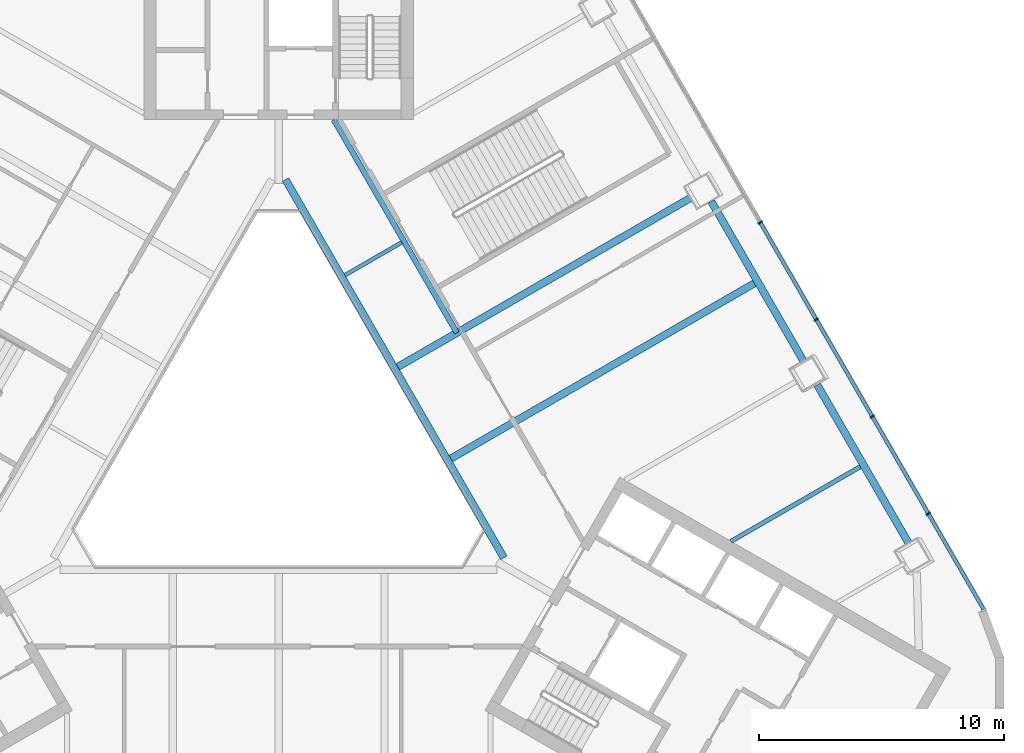
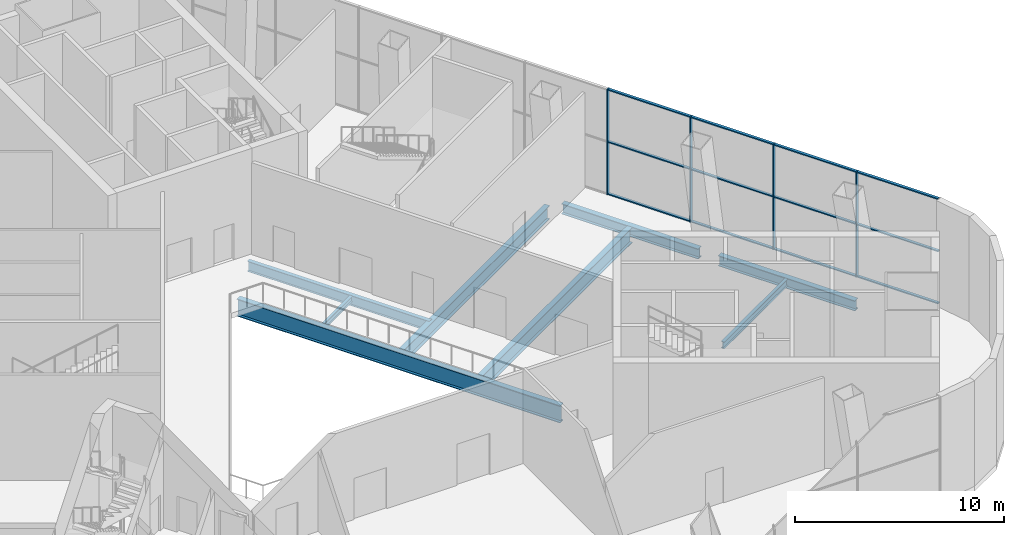
# One storey, part 6 of 17: 16 members, 8 beams, 1 element without a shape of its own.
"""IFC4 building model written with IfcOpenShell, lengths in metres."""

from ifc_helpers import new_model, si_unit, direction, frame, origin, origin_2d, place, context, subcontext, project, spatial, rectangle, i_section, extrude, material, layer, layer_set, material_profile, profile_set, type_object, element, aggregate, save


model = new_model("IFC4")

# Units and contexts
model_context = context("Model", 3, precision=1e-05, world=origin(), true_north=direction((0.0, 1.0)))
body_context = subcontext(model_context, "Body", "Model", "MODEL_VIEW")
ifc_project = project(units=[si_unit("LENGTHUNIT", "METRE"), si_unit("AREAUNIT", "SQUARE_METRE"), si_unit("VOLUMEUNIT", "CUBIC_METRE"), si_unit("PLANEANGLEUNIT", "RADIAN"), si_unit("MASSUNIT", "GRAM", prefix="KILO")], contexts=[model_context])

# Site, building, storey
site_placement = place(None, origin())
site = spatial("IfcSite", under=ifc_project, at=site_placement, CompositionType="ELEMENT")
building_placement = place(site_placement, origin())
building = spatial("IfcBuilding", under=site, at=building_placement, Name="Apuvela Tower Hotel", CompositionType="ELEMENT")
storey_placement = place(building_placement, frame((0.0, 0.0, 9.0)))
storey = spatial("IfcBuildingStorey", under=building, at=storey_placement, Name="L01", CompositionType="ELEMENT", Elevation=9.0)

# Curtain wall, members
ifc_material_1 = material(Name="Aluminium 6063-T6, dark bronze anodised", Category="aluminium")
ifc_layer = layer(ifc_material_1, 0.199951171875)
ifc_layer_set = layer_set([ifc_layer], Name="ENV-CW-P")
curtain_wall_type = type_object("IfcCurtainWallType", Name="ENV-CW-P", PredefinedType="NOTDEFINED", material=ifc_layer_set)
curtain_wall_placement = place(storey_placement, origin())
curtain_wall = element("IfcCurtainWall", 1, at=curtain_wall_placement, inside=storey, type_object=curtain_wall_type, Name="Curtain wall CW-P NE L01", PredefinedType="NOTDEFINED")
ifc_material_profile_1 = material_profile(ifc_material_1, rectangle(XDim=0.199951171875, YDim=0.06494140625, at=origin_2d()), Name="AL 65x200")
ifc_profile_set_1 = profile_set([ifc_material_profile_1], Name="Aluminium 6063-T6, dark bronze anodised")
member_type_1 = type_object("IfcMemberType", Name="ENV-MULLION-65x200", PredefinedType="MULLION", material=ifc_profile_set_1)
member_1_placement = place(storey_placement, frame((26.5205078125, -3.177978515625, 0.0), z_axis=(0.0, 0.0, 1.0), x_axis=(-0.866025428062, -0.49999995795, 0.0)))
member_1 = element("IfcMember", 2, at=member_1_placement, type_object=member_type_1, Name="CW-P mullion 2", PredefinedType="MULLION", context=body_context, shape_type="SweptSolid", body=[
    extrude(rectangle(XDim=0.199951171875, YDim=0.06494140625, at=origin_2d()), origin(), (0.0, 0.0, 1.0), 6.14990234375),
])
member_2_placement = place(storey_placement, frame((24.23291015625, 0.783935546875, 0.0), z_axis=(0.0, 0.0, 1.0), x_axis=(-0.866025428062, -0.49999995795, 0.0)))
member_2 = element("IfcMember", 3, at=member_2_placement, type_object=member_type_1, Name="CW-P mullion 3", PredefinedType="MULLION", context=body_context, shape_type="SweptSolid", body=[
    extrude(rectangle(XDim=0.199951171875, YDim=0.06494140625, at=origin_2d()), origin(), (0.0, 0.0, 1.0), 6.14990234375),
])
member_3_placement = place(storey_placement, frame((21.9453125, 4.74609375, 0.0), z_axis=(0.0, 0.0, 1.0), x_axis=(-0.866025428062, -0.49999995795, 0.0)))
member_3 = element("IfcMember", 4, at=member_3_placement, type_object=member_type_1, Name="CW-P mullion 4", PredefinedType="MULLION", context=body_context, shape_type="SweptSolid", body=[
    extrude(rectangle(XDim=0.199951171875, YDim=0.06494140625, at=origin_2d()), origin(), (0.0, 0.0, 1.0), 6.14990234375),
])
member_4_placement = place(storey_placement, frame((19.657958984375, 8.708251953125, 0.0), z_axis=(0.0, 0.0, 1.0), x_axis=(-0.866025428062, -0.49999995795, 0.0)))
member_4 = element("IfcMember", 5, at=member_4_placement, type_object=member_type_1, Name="CW-P mullion 5", PredefinedType="MULLION", context=body_context, shape_type="SweptSolid", body=[
    extrude(rectangle(XDim=0.199951171875, YDim=0.06494140625, at=origin_2d()), origin(), (0.0, 0.0, 1.0), 6.14990234375),
])
ifc_material_profile_2 = material_profile(ifc_material_1, rectangle(XDim=0.14990234375, YDim=0.06494140625, at=origin_2d()), Name="AL 65x150 transom")
ifc_profile_set_2 = profile_set([ifc_material_profile_2], Name="Aluminium 6063-T6, dark bronze anodised")
member_type_2 = type_object("IfcMemberType", Name="ENV-TRANSOM-65x150", PredefinedType="USERDEFINED", material=ifc_profile_set_2)
member_5_placement = place(storey_placement, frame((28.775390625, -7.083740234375, 0.032470703125), z_axis=(-0.500021389451, 0.866013054227, 0.0), x_axis=(-0.866013054227, -0.500021389451, 0.0)))
member_5 = element("IfcMember", 6, at=member_5_placement, type_object=member_type_2, Name="CW-P transom 1.1", ObjectType="TRANSOM", PredefinedType="USERDEFINED", context=body_context, shape_type="SweptSolid", body=[
    extrude(rectangle(XDim=0.14990234375, YDim=0.06494140625, at=origin_2d()), origin(), (0.0, 0.0, 1.0), 4.477294921875),
])
member_6_placement = place(storey_placement, frame((28.775390625, -7.083740234375, 3.074951171875), z_axis=(-0.500021389451, 0.866013054227, 0.0), x_axis=(-0.866013054227, -0.500021389451, 0.0)))
member_6 = element("IfcMember", 7, at=member_6_placement, type_object=member_type_2, Name="CW-P transom 1.2", ObjectType="TRANSOM", PredefinedType="USERDEFINED", context=body_context, shape_type="SweptSolid", body=[
    extrude(rectangle(XDim=0.14990234375, YDim=0.06494140625, at=origin_2d()), origin(), (0.0, 0.0, 1.0), 4.477294921875),
])
member_7_placement = place(storey_placement, frame((28.775390625, -7.083740234375, 6.117431640625), z_axis=(-0.500021389451, 0.866013054227, 0.0), x_axis=(-0.866013054227, -0.500021389451, 0.0)))
member_7 = element("IfcMember", 8, at=member_7_placement, type_object=member_type_2, Name="CW-P transom 1.3", ObjectType="TRANSOM", PredefinedType="USERDEFINED", context=body_context, shape_type="SweptSolid", body=[
    extrude(rectangle(XDim=0.14990234375, YDim=0.06494140625, at=origin_2d()), origin(), (0.0, 0.0, 1.0), 4.477294921875),
])
member_8_placement = place(storey_placement, frame((26.504150390625, -3.14990234375, 0.032470703125), z_axis=(-0.499981745636, 0.86603594269, 0.0), x_axis=(-0.86603594269, -0.499981745636, 0.0)))
member_8 = element("IfcMember", 9, at=member_8_placement, type_object=member_type_2, Name="CW-P transom 2.1", ObjectType="TRANSOM", PredefinedType="USERDEFINED", context=body_context, shape_type="SweptSolid", body=[
    extrude(rectangle(XDim=0.14990234375, YDim=0.06494140625, at=origin_2d()), origin(), (0.0, 0.0, 1.0), 4.510009765625),
])
member_9_placement = place(storey_placement, frame((26.504150390625, -3.14990234375, 3.074951171875), z_axis=(-0.499981745636, 0.86603594269, 0.0), x_axis=(-0.86603594269, -0.499981745636, 0.0)))
member_9 = element("IfcMember", 10, at=member_9_placement, type_object=member_type_2, Name="CW-P transom 2.2", ObjectType="TRANSOM", PredefinedType="USERDEFINED", context=body_context, shape_type="SweptSolid", body=[
    extrude(rectangle(XDim=0.14990234375, YDim=0.06494140625, at=origin_2d()), origin(), (0.0, 0.0, 1.0), 4.510009765625),
])
member_10_placement = place(storey_placement, frame((26.504150390625, -3.14990234375, 6.117431640625), z_axis=(-0.499981745636, 0.86603594269, 0.0), x_axis=(-0.86603594269, -0.499981745636, 0.0)))
member_10 = element("IfcMember", 11, at=member_10_placement, type_object=member_type_2, Name="CW-P transom 2.3", ObjectType="TRANSOM", PredefinedType="USERDEFINED", context=body_context, shape_type="SweptSolid", body=[
    extrude(rectangle(XDim=0.14990234375, YDim=0.06494140625, at=origin_2d()), origin(), (0.0, 0.0, 1.0), 4.510009765625),
])
member_11_placement = place(storey_placement, frame((24.216552734375, 0.812255859375, 0.032470703125), z_axis=(-0.499981745636, 0.86603594269, 0.0), x_axis=(-0.86603594269, -0.499981745636, 0.0)))
member_11 = element("IfcMember", 12, at=member_11_placement, type_object=member_type_2, Name="CW-P transom 3.1", ObjectType="TRANSOM", PredefinedType="USERDEFINED", context=body_context, shape_type="SweptSolid", body=[
    extrude(rectangle(XDim=0.14990234375, YDim=0.06494140625, at=origin_2d()), origin(), (0.0, 0.0, 1.0), 4.510009765625),
])
member_12_placement = place(storey_placement, frame((24.216552734375, 0.812255859375, 3.074951171875), z_axis=(-0.499981745636, 0.86603594269, 0.0), x_axis=(-0.86603594269, -0.499981745636, 0.0)))
member_12 = element("IfcMember", 13, at=member_12_placement, type_object=member_type_2, Name="CW-P transom 3.2", ObjectType="TRANSOM", PredefinedType="USERDEFINED", context=body_context, shape_type="SweptSolid", body=[
    extrude(rectangle(XDim=0.14990234375, YDim=0.06494140625, at=origin_2d()), origin(), (0.0, 0.0, 1.0), 4.510009765625),
])
member_13_placement = place(storey_placement, frame((24.216552734375, 0.812255859375, 6.117431640625), z_axis=(-0.499981745636, 0.86603594269, 0.0), x_axis=(-0.86603594269, -0.499981745636, 0.0)))
member_13 = element("IfcMember", 14, at=member_13_placement, type_object=member_type_2, Name="CW-P transom 3.3", ObjectType="TRANSOM", PredefinedType="USERDEFINED", context=body_context, shape_type="SweptSolid", body=[
    extrude(rectangle(XDim=0.14990234375, YDim=0.06494140625, at=origin_2d()), origin(), (0.0, 0.0, 1.0), 4.510009765625),
])
member_14_placement = place(storey_placement, frame((21.92919921875, 4.774169921875, 0.032470703125), z_axis=(-0.500022345486, 0.866012502228, 0.0), x_axis=(-0.866012502228, -0.500022345486, 0.0)))
member_14 = element("IfcMember", 15, at=member_14_placement, type_object=member_type_2, Name="CW-P transom 4.1", ObjectType="TRANSOM", PredefinedType="USERDEFINED", context=body_context, shape_type="SweptSolid", body=[
    extrude(rectangle(XDim=0.14990234375, YDim=0.06494140625, at=origin_2d()), origin(), (0.0, 0.0, 1.0), 4.510009765625),
])
member_15_placement = place(storey_placement, frame((21.92919921875, 4.774169921875, 3.074951171875), z_axis=(-0.500022345486, 0.866012502228, 0.0), x_axis=(-0.866012502228, -0.500022345486, 0.0)))
member_15 = element("IfcMember", 16, at=member_15_placement, type_object=member_type_2, Name="CW-P transom 4.2", ObjectType="TRANSOM", PredefinedType="USERDEFINED", context=body_context, shape_type="SweptSolid", body=[
    extrude(rectangle(XDim=0.14990234375, YDim=0.06494140625, at=origin_2d()), origin(), (0.0, 0.0, 1.0), 4.510009765625),
])
member_16_placement = place(storey_placement, frame((21.92919921875, 4.774169921875, 6.117431640625), z_axis=(-0.500022345486, 0.866012502228, 0.0), x_axis=(-0.866012502228, -0.500022345486, 0.0)))
member_16 = element("IfcMember", 17, at=member_16_placement, type_object=member_type_2, Name="CW-P transom 4.3", ObjectType="TRANSOM", PredefinedType="USERDEFINED", context=body_context, shape_type="SweptSolid", body=[
    extrude(rectangle(XDim=0.14990234375, YDim=0.06494140625, at=origin_2d()), origin(), (0.0, 0.0, 1.0), 4.510009765625),
])
aggregate(curtain_wall, [member_1, member_2, member_3, member_4, member_5, member_6, member_7, member_8, member_9, member_10, member_11, member_12, member_13, member_14, member_15, member_16])

# Beams
ifc_material_2 = material(Name="Steel S355", Category="steel")
ifc_material_profile_3 = material_profile(ifc_material_2, i_section(OverallWidth=0.300048828125, OverallDepth=0.7900390625, WebThickness=0.014892578125, FlangeThickness=0.028076171875, at=origin_2d()), Name="HE 800 A")
ifc_profile_set_3 = profile_set([ifc_material_profile_3], Name="Steel S355")
beam_type_1 = type_object("IfcBeamType", Name="STR-B floor beam HE 800 A", PredefinedType="BEAM", material=ifc_profile_set_3)
beam_1_placement = place(storey_placement, frame((16.912109375, 9.76416015625, -0.695068359375), z_axis=(-0.866026250868, -0.499998532805, 0.0), x_axis=(0.499998532805, -0.866026250868, 0.0)))
element("IfcBeam", 18, at=beam_1_placement, inside=storey, type_object=beam_type_1, Name="Floor beam B5 NE5", PredefinedType="BEAM", context=body_context, shape_type="SweptSolid", body=[
    extrude(i_section(OverallWidth=0.300048828125, OverallDepth=0.7900390625, WebThickness=0.014892578125, FlangeThickness=0.028076171875, at=origin_2d()), origin(), (0.0, 0.0, 1.0), 13.90625),
])
ifc_material_profile_4 = material_profile(ifc_material_2, i_section(OverallWidth=0.300048828125, OverallDepth=0.889892578125, WebThickness=0.01611328125, FlangeThickness=0.030029296875, at=origin_2d()), Name="HE 900 A")
ifc_profile_set_4 = profile_set([ifc_material_profile_4], Name="Steel S355")
beam_type_2 = type_object("IfcBeamType", Name="STR-B floor beam HE 900 A", PredefinedType="BEAM", material=ifc_profile_set_4)
beam_2_placement = place(storey_placement, frame((19.41943359375, 6.22119140625, -0.7451171875), z_axis=(-0.866028148673, -0.499995245684, 0.0), x_axis=(0.499995245684, -0.866028148673, 0.0)))
element("IfcBeam", 19, at=beam_2_placement, inside=storey, type_object=beam_type_2, Name="Floor beam B4 NE4", PredefinedType="BEAM", context=body_context, shape_type="SweptSolid", body=[
    extrude(i_section(OverallWidth=0.300048828125, OverallDepth=0.889892578125, WebThickness=0.01611328125, FlangeThickness=0.030029296875, at=origin_2d()), origin(), (0.0, 0.0, 1.0), 14.306396484375),
])
ifc_material_profile_5 = material_profile(ifc_material_2, i_section(OverallWidth=0.159912109375, OverallDepth=0.330078125, WebThickness=0.007568359375, FlangeThickness=0.011474609375, at=origin_2d()), Name="IPE 330")
ifc_profile_set_5 = profile_set([ifc_material_profile_5], Name="Steel S355")
beam_type_3 = type_object("IfcBeamType", Name="STR-B floor beam IPE 330", PredefinedType="BEAM", material=ifc_profile_set_5)
beam_3_placement = place(storey_placement, frame((5.027099609375, 7.892822265625, -0.465087890625), z_axis=(-0.866058069904, -0.499943416353, 0.0), x_axis=(0.499943416353, -0.866058069904, 0.0)))
element("IfcBeam", 20, at=beam_3_placement, inside=storey, type_object=beam_type_3, Name="Floor beam B1 NE6", PredefinedType="BEAM", context=body_context, shape_type="SweptSolid", body=[
    extrude(i_section(OverallWidth=0.159912109375, OverallDepth=0.330078125, WebThickness=0.007568359375, FlangeThickness=0.011474609375, at=origin_2d()), origin(), (0.0, 0.0, 1.0), 2.677978515625),
])
ifc_material_profile_6 = material_profile(ifc_material_2, i_section(OverallWidth=0.179931640625, OverallDepth=0.39990234375, WebThickness=0.008544921875, FlangeThickness=0.013427734375, at=origin_2d()), Name="IPE 400")
ifc_profile_set_6 = profile_set([ifc_material_profile_6], Name="Steel S355")
beam_type_4 = type_object("IfcBeamType", Name="STR-B floor beam IPE 400", PredefinedType="BEAM", material=ifc_profile_set_6)
beam_4_placement = place(storey_placement, frame((23.7412109375, -1.264404296875, -0.5), z_axis=(-0.866014723935, -0.500018497585, 0.0), x_axis=(0.500018497585, -0.866014723935, 0.0)))
element("IfcBeam", 21, at=beam_4_placement, inside=storey, type_object=beam_type_4, Name="Floor beam B2 NE2", PredefinedType="BEAM", context=body_context, shape_type="SweptSolid", body=[
    extrude(i_section(OverallWidth=0.179931640625, OverallDepth=0.39990234375, WebThickness=0.008544921875, FlangeThickness=0.013427734375, at=origin_2d()), origin(), (0.0, 0.0, 1.0), 6.091552734375),
])
ifc_material_profile_7 = material_profile(ifc_material_2, i_section(OverallWidth=0.302001953125, OverallDepth=1.008056640625, WebThickness=0.02099609375, FlangeThickness=0.0400390625, at=origin_2d()), Name="HE 1000 M")
ifc_profile_set_7 = profile_set([ifc_material_profile_7], Name="Steel S355")
beam_type_5 = type_object("IfcBeamType", Name="STR-G atrium ring girder HE 1000 M", PredefinedType="BEAM", material=ifc_profile_set_7)
beam_5_placement = place(storey_placement, frame((9.1953125, -4.984619140625, -0.803955078125), z_axis=(-0.500000611842, 0.866025050537, 0.0), x_axis=(-0.866025050537, -0.500000611842, 0.0)))
element("IfcBeam", 22, at=beam_5_placement, inside=storey, type_object=beam_type_5, Name="Atrium ring girder G1 SE-N", PredefinedType="BEAM", context=body_context, shape_type="SweptSolid", body=[
    extrude(i_section(OverallWidth=0.302001953125, OverallDepth=1.008056640625, WebThickness=0.02099609375, FlangeThickness=0.0400390625, at=origin_2d()), origin(), (0.0, 0.0, 1.0), 17.8291015625),
])
ifc_material_profile_8 = material_profile(ifc_material_2, i_section(OverallWidth=0.300048828125, OverallDepth=0.60009765625, WebThickness=0.015380859375, FlangeThickness=0.030029296875, at=origin_2d()), Name="HE 600 B")
ifc_profile_set_8 = profile_set([ifc_material_profile_8], Name="Steel S355")
beam_type_6 = type_object("IfcBeamType", Name="STR-SB spandrel beam HE 600 B", PredefinedType="SPANDREL", material=ifc_profile_set_8)
for number, where, z_axis, x_axis, name in (
    (23, (25.757080078125, -4.4560546875, -0.60009765625), (-0.499978319683, 0.866037920559, 0.0), (-0.866037920559, -0.499978319683, 0.0), "Spandrel beam SB1 NE1"),
    (24, (21.435302734375, 3.02978515625, -0.60009765625), (-0.500016605963, 0.866015816115, 0.0), (-0.866015816115, -0.500016605963, 0.0), "Spandrel beam SB1 NE2"),
):
    element("IfcBeam", number, at=place(storey_placement, frame(where, z_axis=z_axis, x_axis=x_axis)), inside=storey, type_object=beam_type_6, Name=name, PredefinedType="SPANDREL", context=body_context, shape_type="SweptSolid", body=[
        extrude(i_section(OverallWidth=0.300048828125, OverallDepth=0.60009765625, WebThickness=0.015380859375, FlangeThickness=0.030029296875, at=origin_2d()), origin(), (0.0, 0.0, 1.0), 7.543701171875),
    ])
ifc_material_profile_9 = material_profile(ifc_material_2, i_section(OverallWidth=0.219970703125, OverallDepth=0.60009765625, WebThickness=0.011962890625, FlangeThickness=0.01904296875, at=origin_2d()), Name="IPE 600")
ifc_profile_set_9 = profile_set([ifc_material_profile_9], Name="Steel S355")
beam_type_7 = type_object("IfcBeamType", Name="STR-TB stair trimmer beam IPE 600", PredefinedType="BEAM", material=ifc_profile_set_9)
beam_6_placement = place(storey_placement, frame((7.274658203125, 4.199951171875, -0.60009765625), z_axis=(-0.500002244785, 0.866024107753, 0.0), x_axis=(-0.866024107753, -0.500002244785, 0.0)))
element("IfcBeam", 25, at=beam_6_placement, inside=storey, type_object=beam_type_7, Name="Stair trimmer beam TB1 PS1", PredefinedType="BEAM", context=body_context, shape_type="SweptSolid", body=[
    extrude(i_section(OverallWidth=0.219970703125, OverallDepth=0.60009765625, WebThickness=0.011962890625, FlangeThickness=0.01904296875, at=origin_2d()), origin(), (0.0, 0.0, 1.0), 10.0458984375),
])

save(model, "model.ifc")
